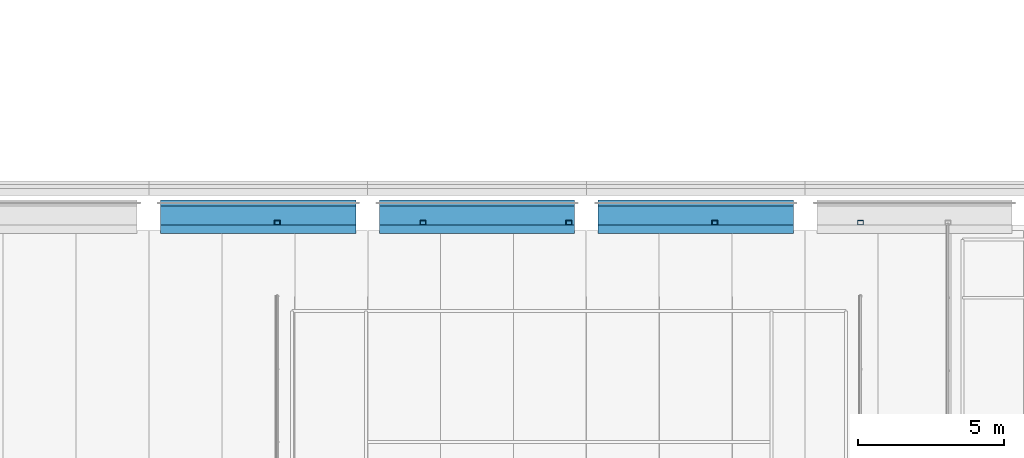
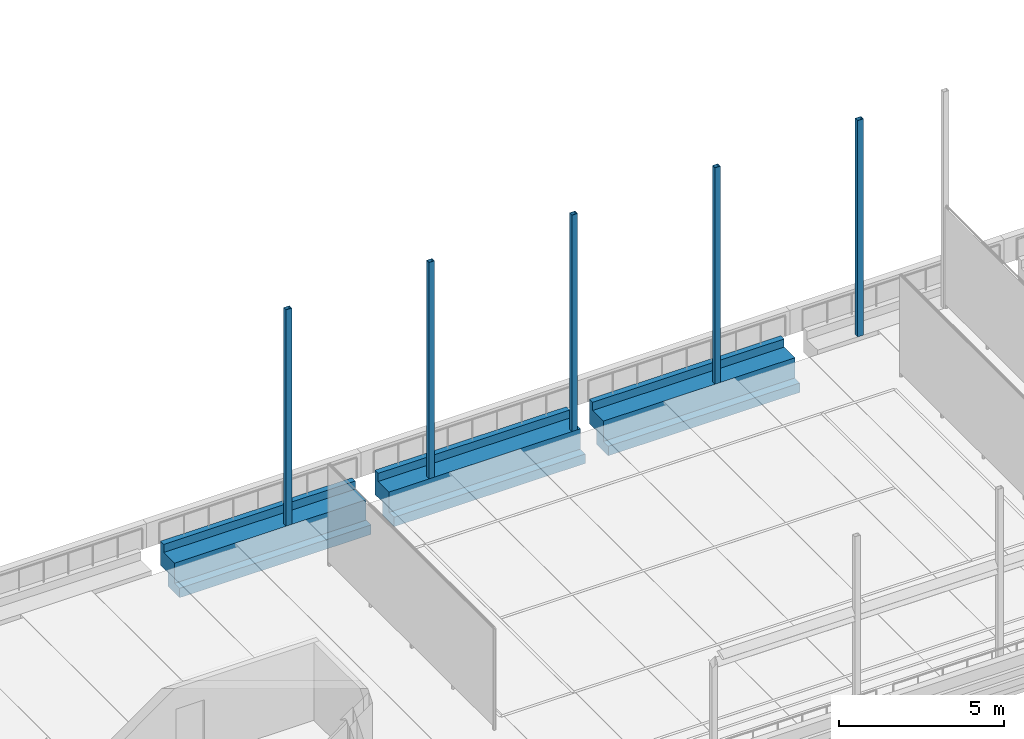
# One storey, part 16 of 62: 5 members, 3 beams.
"""IFC4 building model written with IfcOpenShell, lengths in metres."""

from ifc_helpers import new_model, si_unit, direction, frame, origin, origin_2d, place, context, subcontext, project, spatial, polyline, hollow_rectangle, outline, extrude, material, material_profile, profile_set, type_object, element, save


model = new_model("IFC4")

# Units and contexts
model_context = context("Model", 3, precision=1e-05, world=origin(), true_north=direction((0.0, 1.0)))
body_context = subcontext(model_context, "Body", "Model", "MODEL_VIEW")
ifc_project = project(units=[si_unit("LENGTHUNIT", "METRE"), si_unit("AREAUNIT", "SQUARE_METRE"), si_unit("VOLUMEUNIT", "CUBIC_METRE"), si_unit("PLANEANGLEUNIT", "RADIAN"), si_unit("MASSUNIT", "GRAM", prefix="KILO")], contexts=[model_context])

# Site, building, storey
site_placement = place(None, origin())
site = spatial("IfcSite", under=ifc_project, at=site_placement, CompositionType="ELEMENT")
building_placement = place(site_placement, origin())
building = spatial("IfcBuilding", under=site, at=building_placement, Name="Cour d'Honneur Mobility Palace", CompositionType="ELEMENT")
storey_placement = place(building_placement, frame((0.0, 0.0, 19.300048828125)))
storey = spatial("IfcBuildingStorey", under=building, at=storey_placement, Name="L05", CompositionType="ELEMENT", Elevation=19.300048828125)

# Beams
ifc_material_1 = material(Name="Concrete C45", Category="concrete")
ifc_material_profile_1 = material_profile(ifc_material_1, outline(polyline([(0.199951171875, -1.10009765625), (0.199951171875, -0.60009765625), (0.64990234375, -0.60009765625), (0.64990234375, 0.300048828125), (0.449951171875, 0.300048828125), (0.449951171875, 0.0), (0.199951171875, 0.0), (-0.199951171875, 0.0), (-0.199951171875, -0.75), (-0.5, -0.75), (-0.5, -1.10009765625), (0.199951171875, -1.10009765625)])), Name="Ledger Beam 400x1100 ledge right 350 facade left")
ifc_profile_set_1 = profile_set([ifc_material_profile_1], Name="Concrete C45")
beam_type = type_object("IfcBeamType", Name="Ledger Beam 400x1100 ledge right 350 facade left", PredefinedType="BEAM", material=ifc_profile_set_1)
for number, where, z_axis, x_axis, name in (
    (1, (92.800048828125, 62.39990234375, 0.0), (1.0, 0.0, 0.0), (0.0, 1.0, 0.0), "Precast beam B4 12-13 L05"),
    (2, (100.300048828125, 62.39990234375, 0.0), (1.0, 0.0, 0.0), (0.0, 1.0, 0.0), "Precast beam B4 13-14 L05"),
    (3, (107.800048828125, 62.39990234375, 0.0), (1.0, 0.0, 0.0), (0.0, 1.0, 0.0), "Precast beam B4 14-15 L05"),
):
    element("IfcBeam", number, at=place(storey_placement, frame(where, z_axis=z_axis, x_axis=x_axis)), inside=storey, type_object=beam_type, Name=name, PredefinedType="BEAM", context=body_context, shape_type="SweptSolid", body=[
        extrude(outline(polyline([(0.199951171875, -1.10009765625), (0.199951171875, -0.60009765625), (0.64990234375, -0.60009765625), (0.64990234375, 0.300048828125), (0.449951171875, 0.300048828125), (0.449951171875, 0.0), (0.199951171875, 0.0), (-0.199951171875, 0.0), (-0.199951171875, -0.75), (-0.5, -0.75), (-0.5, -1.10009765625), (0.199951171875, -1.10009765625)])), origin(), (0.0, 0.0, 1.0), 6.699951171875),
    ])

# Members
ifc_material_2 = material(Name="Steel S355", Category="steel")
ifc_material_profile_2 = material_profile(ifc_material_2, hollow_rectangle(XDim=0.14990234375, YDim=0.199951171875, WallThickness=0.008056640625, at=origin_2d()), Name="RHS 200x150x8")
ifc_profile_set_2 = profile_set([ifc_material_profile_2], Name="Steel S355")
member_type = type_object("IfcMemberType", Name="Pergola post RHS 200x150x8", PredefinedType="POST", material=ifc_profile_set_2)
for number, where, z_axis, x_axis, name in (
    (4, (96.800048828125, 62.27490234375, 0.0), (0.0, 0.0, 1.0), (0.0, 1.0, 0.0), "Pergola post PE-N1"),
    (5, (101.800048828125, 62.27490234375, 0.0), (0.0, 0.0, 1.0), (0.0, 1.0, 0.0), "Pergola post PE-N2"),
    (6, (106.800048828125, 62.27490234375, 0.0), (0.0, 0.0, 1.0), (0.0, 1.0, 0.0), "Pergola post PE-N3"),
    (7, (111.800048828125, 62.27490234375, 0.0), (0.0, 0.0, 1.0), (0.0, 1.0, 0.0), "Pergola post PE-N4"),
    (8, (116.800048828125, 62.27490234375, 0.0), (0.0, 0.0, 1.0), (0.0, 1.0, 0.0), "Pergola post PE-N5"),
):
    element("IfcMember", number, at=place(storey_placement, frame(where, z_axis=z_axis, x_axis=x_axis)), inside=storey, type_object=member_type, Name=name, PredefinedType="POST", context=body_context, shape_type="SweptSolid", body=[
        extrude(hollow_rectangle(XDim=0.14990234375, YDim=0.199951171875, WallThickness=0.008056640625, at=origin_2d()), origin(), (0.0, 0.0, 1.0), 8.0),
    ])

save(model, "model.ifc")
